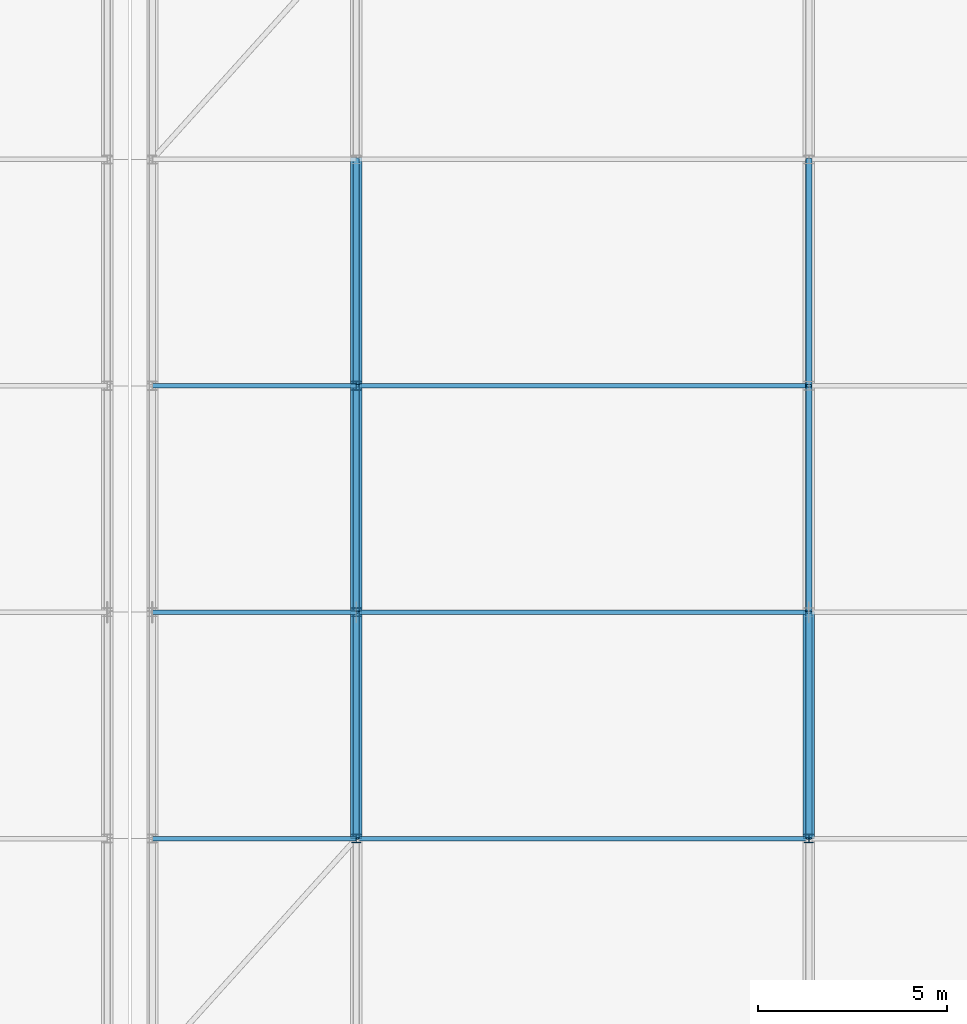
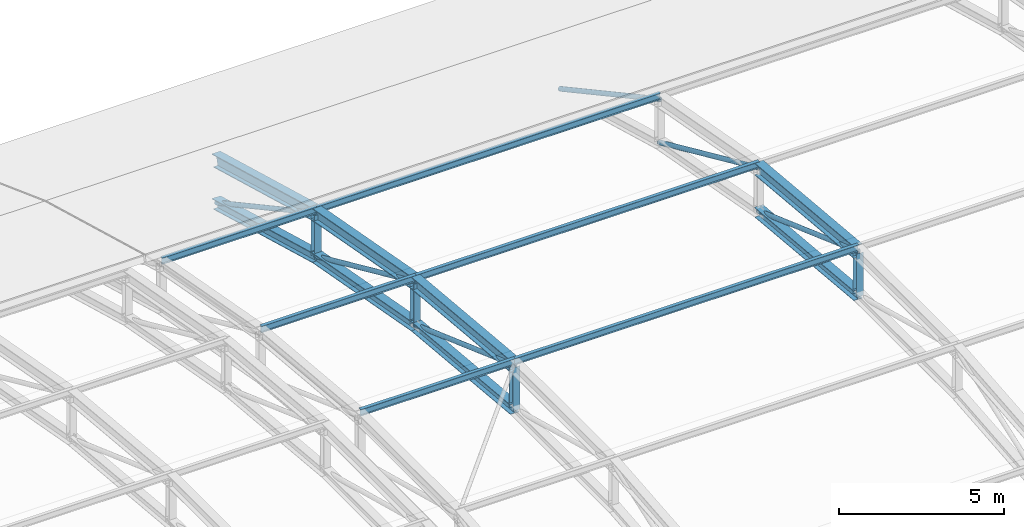
# One storey, part 98 of 204: 24 members.
"""IFC4 building model written with IfcOpenShell, lengths in metres."""

from ifc_helpers import new_model, si_unit, direction, frame, origin, origin_2d, place, context, subcontext, project, spatial, hollow_circle, i_section, extrude, material, material_profile, profile_set, type_object, element, save


model = new_model("IFC4")

# Units and contexts
model_context = context("Model", 3, precision=1e-05, world=origin(), true_north=direction((0.0, 1.0)))
body_context = subcontext(model_context, "Body", "Model", "MODEL_VIEW")
ifc_project = project(units=[si_unit("LENGTHUNIT", "METRE"), si_unit("AREAUNIT", "SQUARE_METRE"), si_unit("VOLUMEUNIT", "CUBIC_METRE"), si_unit("PLANEANGLEUNIT", "RADIAN"), si_unit("MASSUNIT", "GRAM", prefix="KILO")], contexts=[model_context])

# Site, building, storey
site_placement = place(None, origin())
site = spatial("IfcSite", under=ifc_project, at=site_placement, CompositionType="ELEMENT")
building_placement = place(site_placement, origin())
building = spatial("IfcBuilding", under=site, at=building_placement, Name="Zilviju Railside Exhibition Hall", CompositionType="ELEMENT")
storey_placement = place(building_placement, frame((0.0, 0.0, 21.0)))
storey = spatial("IfcBuildingStorey", under=building, at=storey_placement, Name="RF", CompositionType="ELEMENT", Elevation=21.0)

# Members
ifc_material = material(Name="Steel S355J2", Category="steel")
ifc_material_profile_1 = material_profile(ifc_material, hollow_circle(Radius=0.084228515625, WallThickness=0.008056640625, at=origin_2d()), Name="CHS 168.3x8.0")
ifc_profile_set_1 = profile_set([ifc_material_profile_1], Name="Steel S355J2")
member_type_1 = type_object("IfcMemberType", Name="TR-BR-CHS168", PredefinedType="BRACE", material=ifc_profile_set_1)
member_1_placement = place(storey_placement, frame((132.0, 30.0, -0.669189453125), z_axis=(0.0, 0.94123307508, -0.337757751023), x_axis=(-1.0, 0.0, 0.0)))
element("IfcMember", 1, at=member_1_placement, inside=storey, type_object=member_type_1, Name="V1 Parabolic Arch Web Diagonal X=132.0 P6", PredefinedType="BRACE", context=body_context, shape_type="SweptSolid", body=[
    extrude(hollow_circle(Radius=0.084228515625, WallThickness=0.008056640625, at=origin_2d()), origin(), (0.0, 0.0, 1.0), 6.37451171875),
])
member_2_placement = place(storey_placement, frame((132.0, 36.0, -1.22216796875), z_axis=(0.0, 0.911563042822, -0.411160332425), x_axis=(-1.0, 0.0, 0.0)))
element("IfcMember", 2, at=member_2_placement, inside=storey, type_object=member_type_1, Name="V1 Parabolic Arch Web Diagonal X=132.0 P7", PredefinedType="BRACE", context=body_context, shape_type="SweptSolid", body=[
    extrude(hollow_circle(Radius=0.084228515625, WallThickness=0.008056640625, at=origin_2d()), origin(), (0.0, 0.0, 1.0), 6.58203125),
])
member_3_placement = place(storey_placement, frame((132.0, 42.0, -2.328369140625), z_axis=(0.0, 0.87872232578, -0.477333294644), x_axis=(-1.0, 0.0, 0.0)))
element("IfcMember", 3, at=member_3_placement, inside=storey, type_object=member_type_1, Name="V1 Parabolic Arch Web Diagonal X=132.0 P8", PredefinedType="BRACE", context=body_context, shape_type="SweptSolid", body=[
    extrude(hollow_circle(Radius=0.084228515625, WallThickness=0.008056640625, at=origin_2d()), origin(), (0.0, 0.0, 1.0), 6.828125),
])
member_4_placement = place(storey_placement, frame((144.0, 30.0, -0.669189453125), z_axis=(0.0, 0.94123307508, -0.337757751023), x_axis=(-1.0, 0.0, 0.0)))
element("IfcMember", 4, at=member_4_placement, inside=storey, type_object=member_type_1, Name="V1 Parabolic Arch Web Diagonal X=144.0 P6", PredefinedType="BRACE", context=body_context, shape_type="SweptSolid", body=[
    extrude(hollow_circle(Radius=0.084228515625, WallThickness=0.008056640625, at=origin_2d()), origin(), (0.0, 0.0, 1.0), 6.37451171875),
])
member_5_placement = place(storey_placement, frame((144.0, 36.0, -1.22216796875), z_axis=(0.0, 0.911563042822, -0.411160332425), x_axis=(-1.0, 0.0, 0.0)))
element("IfcMember", 5, at=member_5_placement, inside=storey, type_object=member_type_1, Name="V1 Parabolic Arch Web Diagonal X=144.0 P7", PredefinedType="BRACE", context=body_context, shape_type="SweptSolid", body=[
    extrude(hollow_circle(Radius=0.084228515625, WallThickness=0.008056640625, at=origin_2d()), origin(), (0.0, 0.0, 1.0), 6.58203125),
])
member_6_placement = place(storey_placement, frame((144.0, 42.0, -2.328369140625), z_axis=(0.0, 0.87872232578, -0.477333294644), x_axis=(-1.0, 0.0, 0.0)))
element("IfcMember", 6, at=member_6_placement, inside=storey, type_object=member_type_1, Name="V1 Parabolic Arch Web Diagonal X=144.0 P8", PredefinedType="BRACE", context=body_context, shape_type="SweptSolid", body=[
    extrude(hollow_circle(Radius=0.084228515625, WallThickness=0.008056640625, at=origin_2d()), origin(), (0.0, 0.0, 1.0), 6.828125),
])
ifc_material_profile_2 = material_profile(ifc_material, i_section(OverallWidth=0.300048828125, OverallDepth=0.360107421875, WebThickness=0.012451171875, FlangeThickness=0.0224609375, at=origin_2d()), Name="HEB 360")
ifc_profile_set_2 = profile_set([ifc_material_profile_2], Name="Steel S355J2")
member_type_2 = type_object("IfcMemberType", Name="TR-CH-HEB360", PredefinedType="CHORD", material=ifc_profile_set_2)
member_7_placement = place(storey_placement, frame((132.0, 30.0, -2.26904296875), z_axis=(0.0, 0.995776144786, -0.091814320641), x_axis=(-1.0, 0.0, 0.0)))
element("IfcMember", 7, at=member_7_placement, inside=storey, type_object=member_type_2, Name="V1 Parabolic Arch Bottom Chord X=132.0 P6", PredefinedType="CHORD", context=body_context, shape_type="SweptSolid", body=[
    extrude(i_section(OverallWidth=0.300048828125, OverallDepth=0.360107421875, WebThickness=0.012451171875, FlangeThickness=0.0224609375, at=origin_2d()), origin(), (0.0, 0.0, 1.0), 6.025390625),
])
member_8_placement = place(storey_placement, frame((132.0, 36.0, -2.822265625), z_axis=(0.0, 0.98342578549, -0.18131112606), x_axis=(-1.0, 0.0, 0.0)))
element("IfcMember", 8, at=member_8_placement, inside=storey, type_object=member_type_2, Name="V1 Parabolic Arch Bottom Chord X=132.0 P7", PredefinedType="CHORD", context=body_context, shape_type="SweptSolid", body=[
    extrude(i_section(OverallWidth=0.300048828125, OverallDepth=0.360107421875, WebThickness=0.012451171875, FlangeThickness=0.0224609375, at=origin_2d()), origin(), (0.0, 0.0, 1.0), 6.10107421875),
])
member_9_placement = place(storey_placement, frame((132.0, 42.0, -3.928466796875), z_axis=(0.0, 0.963827412659, -0.266527144223), x_axis=(-1.0, 0.0, 0.0)))
element("IfcMember", 9, at=member_9_placement, inside=storey, type_object=member_type_2, Name="V1 Parabolic Arch Bottom Chord X=132.0 P8", PredefinedType="CHORD", context=body_context, shape_type="SweptSolid", body=[
    extrude(i_section(OverallWidth=0.300048828125, OverallDepth=0.360107421875, WebThickness=0.012451171875, FlangeThickness=0.0224609375, at=origin_2d()), origin(), (0.0, 0.0, 1.0), 6.22509765625),
])
member_10_placement = place(storey_placement, frame((144.0, 30.0, -2.26904296875), z_axis=(0.0, 0.995776144786, -0.091814320641), x_axis=(-1.0, 0.0, 0.0)))
element("IfcMember", 10, at=member_10_placement, inside=storey, type_object=member_type_2, Name="V1 Parabolic Arch Bottom Chord X=144.0 P6", PredefinedType="CHORD", context=body_context, shape_type="SweptSolid", body=[
    extrude(i_section(OverallWidth=0.300048828125, OverallDepth=0.360107421875, WebThickness=0.012451171875, FlangeThickness=0.0224609375, at=origin_2d()), origin(), (0.0, 0.0, 1.0), 6.025390625),
])
ifc_material_profile_3 = material_profile(ifc_material, i_section(OverallWidth=0.300048828125, OverallDepth=0.449951171875, WebThickness=0.013916015625, FlangeThickness=0.02587890625, at=origin_2d()), Name="HEB 450")
ifc_profile_set_3 = profile_set([ifc_material_profile_3], Name="Steel S355J2")
member_type_3 = type_object("IfcMemberType", Name="TR-CH-HEB450", PredefinedType="CHORD", material=ifc_profile_set_3)
member_11_placement = place(storey_placement, frame((132.0, 30.0, -0.669189453125), z_axis=(0.0, 0.99577984843, -0.091774143746), x_axis=(-1.0, 0.0, 0.0)))
element("IfcMember", 11, at=member_11_placement, inside=storey, type_object=member_type_3, Name="V1 Parabolic Arch Top Chord X=132.0 P6", PredefinedType="CHORD", context=body_context, shape_type="SweptSolid", body=[
    extrude(i_section(OverallWidth=0.300048828125, OverallDepth=0.449951171875, WebThickness=0.013916015625, FlangeThickness=0.02587890625, at=origin_2d()), origin(), (0.0, 0.0, 1.0), 6.025390625),
])
member_12_placement = place(storey_placement, frame((132.0, 36.0, -1.22216796875), z_axis=(0.0, 0.98342578549, -0.18131112606), x_axis=(-1.0, 0.0, 0.0)))
element("IfcMember", 12, at=member_12_placement, inside=storey, type_object=member_type_3, Name="V1 Parabolic Arch Top Chord X=132.0 P7", PredefinedType="CHORD", context=body_context, shape_type="SweptSolid", body=[
    extrude(i_section(OverallWidth=0.300048828125, OverallDepth=0.449951171875, WebThickness=0.013916015625, FlangeThickness=0.02587890625, at=origin_2d()), origin(), (0.0, 0.0, 1.0), 6.10107421875),
])
member_13_placement = place(storey_placement, frame((132.0, 42.0, -2.328369140625), z_axis=(0.0, 0.963827412659, -0.266527144223), x_axis=(-1.0, 0.0, 0.0)))
element("IfcMember", 13, at=member_13_placement, inside=storey, type_object=member_type_3, Name="V1 Parabolic Arch Top Chord X=132.0 P8", PredefinedType="CHORD", context=body_context, shape_type="SweptSolid", body=[
    extrude(i_section(OverallWidth=0.300048828125, OverallDepth=0.449951171875, WebThickness=0.013916015625, FlangeThickness=0.02587890625, at=origin_2d()), origin(), (0.0, 0.0, 1.0), 6.22509765625),
])
member_14_placement = place(storey_placement, frame((144.0, 30.0, -0.669189453125), z_axis=(0.0, 0.99577984843, -0.091774143746), x_axis=(-1.0, 0.0, 0.0)))
element("IfcMember", 14, at=member_14_placement, inside=storey, type_object=member_type_3, Name="V1 Parabolic Arch Top Chord X=144.0 P6", PredefinedType="CHORD", context=body_context, shape_type="SweptSolid", body=[
    extrude(i_section(OverallWidth=0.300048828125, OverallDepth=0.449951171875, WebThickness=0.013916015625, FlangeThickness=0.02587890625, at=origin_2d()), origin(), (0.0, 0.0, 1.0), 6.025390625),
])
ifc_material_profile_4 = material_profile(ifc_material, i_section(OverallWidth=0.239990234375, OverallDepth=0.22998046875, WebThickness=0.007568359375, FlangeThickness=0.011962890625, at=origin_2d()), Name="HEA 240")
ifc_profile_set_4 = profile_set([ifc_material_profile_4], Name="Steel S355J2")
member_type_4 = type_object("IfcMemberType", Name="TR-POST-HEA240", PredefinedType="POST", material=ifc_profile_set_4)
member_15_placement = place(storey_placement, frame((132.0, 30.0, -2.26904296875), z_axis=(0.0, 0.0, 1.0), x_axis=(1.0, 0.0, 0.0)))
element("IfcMember", 15, at=member_15_placement, inside=storey, type_object=member_type_4, Name="V1 Parabolic Arch Web Post X=132.0 N5", PredefinedType="POST", context=body_context, shape_type="SweptSolid", body=[
    extrude(i_section(OverallWidth=0.239990234375, OverallDepth=0.22998046875, WebThickness=0.007568359375, FlangeThickness=0.011962890625, at=origin_2d()), origin(), (0.0, 0.0, 1.0), 1.599853515625),
])
for number, where, z_axis, x_axis, name in (
    (16, (132.0, 36.0, -2.822265625), (0.0, 0.0, 1.0), (1.0, 0.0, 0.0), "V1 Parabolic Arch Web Post X=132.0 N6"),
    (17, (132.0, 42.0, -3.928466796875), (0.0, 0.0, 1.0), (1.0, 0.0, 0.0), "V1 Parabolic Arch Web Post X=132.0 N7"),
):
    element("IfcMember", number, at=place(storey_placement, frame(where, z_axis=z_axis, x_axis=x_axis)), inside=storey, type_object=member_type_4, Name=name, PredefinedType="POST", context=body_context, shape_type="SweptSolid", body=[
        extrude(i_section(OverallWidth=0.239990234375, OverallDepth=0.22998046875, WebThickness=0.007568359375, FlangeThickness=0.011962890625, at=origin_2d()), origin(), (0.0, 0.0, 1.0), 1.60009765625),
    ])
member_16_placement = place(storey_placement, frame((144.0, 30.0, -2.26904296875), z_axis=(0.0, 0.0, 1.0), x_axis=(1.0, 0.0, 0.0)))
element("IfcMember", 18, at=member_16_placement, inside=storey, type_object=member_type_4, Name="V1 Parabolic Arch Web Post X=144.0 N5", PredefinedType="POST", context=body_context, shape_type="SweptSolid", body=[
    extrude(i_section(OverallWidth=0.239990234375, OverallDepth=0.22998046875, WebThickness=0.007568359375, FlangeThickness=0.011962890625, at=origin_2d()), origin(), (0.0, 0.0, 1.0), 1.599853515625),
])
ifc_material_profile_5 = material_profile(ifc_material, i_section(OverallWidth=0.1201171875, OverallDepth=0.239990234375, WebThickness=0.006103515625, FlangeThickness=0.009765625, at=origin_2d()), Name="IPE 240")
ifc_profile_set_5 = profile_set([ifc_material_profile_5], Name="Steel S355J2")
member_type_5 = type_object("IfcMemberType", Name="TR-PUR-IPE240", PredefinedType="PURLIN", material=ifc_profile_set_5)
for number, where, z_axis, x_axis, name in (
    (19, (126.60009765625, 30.0, -0.515625), (1.0, 0.0, 0.0), (0.0, 1.0, 0.0), "V1 Barrel Vault Roof Purlin Y=30.0 (126.6..132.0)"),
    (20, (126.60009765625, 36.0, -1.0771484375), (1.0, 0.0, 0.0), (0.0, 1.0, 0.0), "V1 Barrel Vault Roof Purlin Y=36.0 (126.6..132.0)"),
    (21, (126.60009765625, 42.0, -2.193603515625), (1.0, 0.0, 0.0), (0.0, 1.0, 0.0), "V1 Barrel Vault Roof Purlin Y=42.0 (126.6..132.0)"),
):
    element("IfcMember", number, at=place(storey_placement, frame(where, z_axis=z_axis, x_axis=x_axis)), inside=storey, type_object=member_type_5, Name=name, PredefinedType="PURLIN", context=body_context, shape_type="SweptSolid", body=[
        extrude(i_section(OverallWidth=0.1201171875, OverallDepth=0.239990234375, WebThickness=0.006103515625, FlangeThickness=0.009765625, at=origin_2d()), origin(), (0.0, 0.0, 1.0), 5.39990234375),
    ])
for number, where, z_axis, x_axis, name in (
    (22, (132.0, 30.0, -0.515625), (1.0, 0.0, 0.0), (0.0, 1.0, 0.0), "V1 Barrel Vault Roof Purlin Y=30.0 (132.0..144.0)"),
    (23, (132.0, 36.0, -1.0771484375), (1.0, 0.0, 0.0), (0.0, 1.0, 0.0), "V1 Barrel Vault Roof Purlin Y=36.0 (132.0..144.0)"),
    (24, (132.0, 42.0, -2.193603515625), (1.0, 0.0, 0.0), (0.0, 1.0, 0.0), "V1 Barrel Vault Roof Purlin Y=42.0 (132.0..144.0)"),
):
    element("IfcMember", number, at=place(storey_placement, frame(where, z_axis=z_axis, x_axis=x_axis)), inside=storey, type_object=member_type_5, Name=name, PredefinedType="PURLIN", context=body_context, shape_type="SweptSolid", body=[
        extrude(i_section(OverallWidth=0.1201171875, OverallDepth=0.239990234375, WebThickness=0.006103515625, FlangeThickness=0.009765625, at=origin_2d()), origin(), (0.0, 0.0, 1.0), 12.0),
    ])

save(model, "model.ifc")
